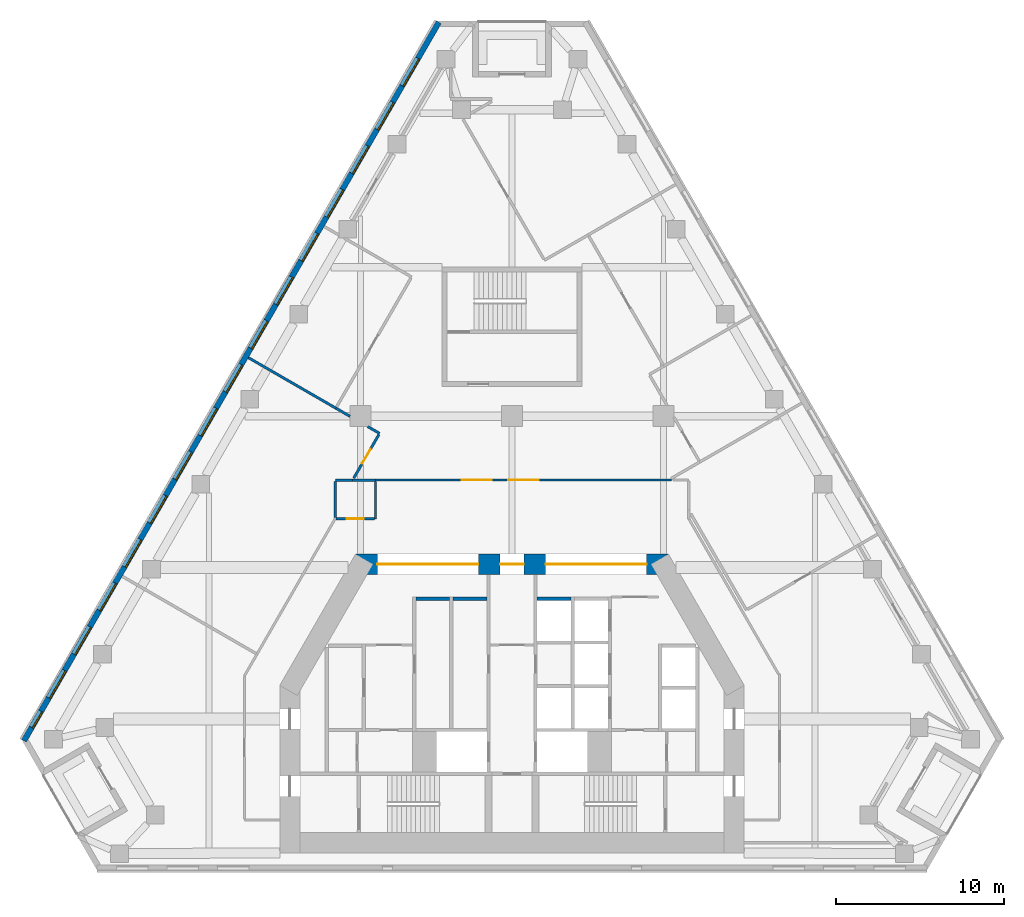
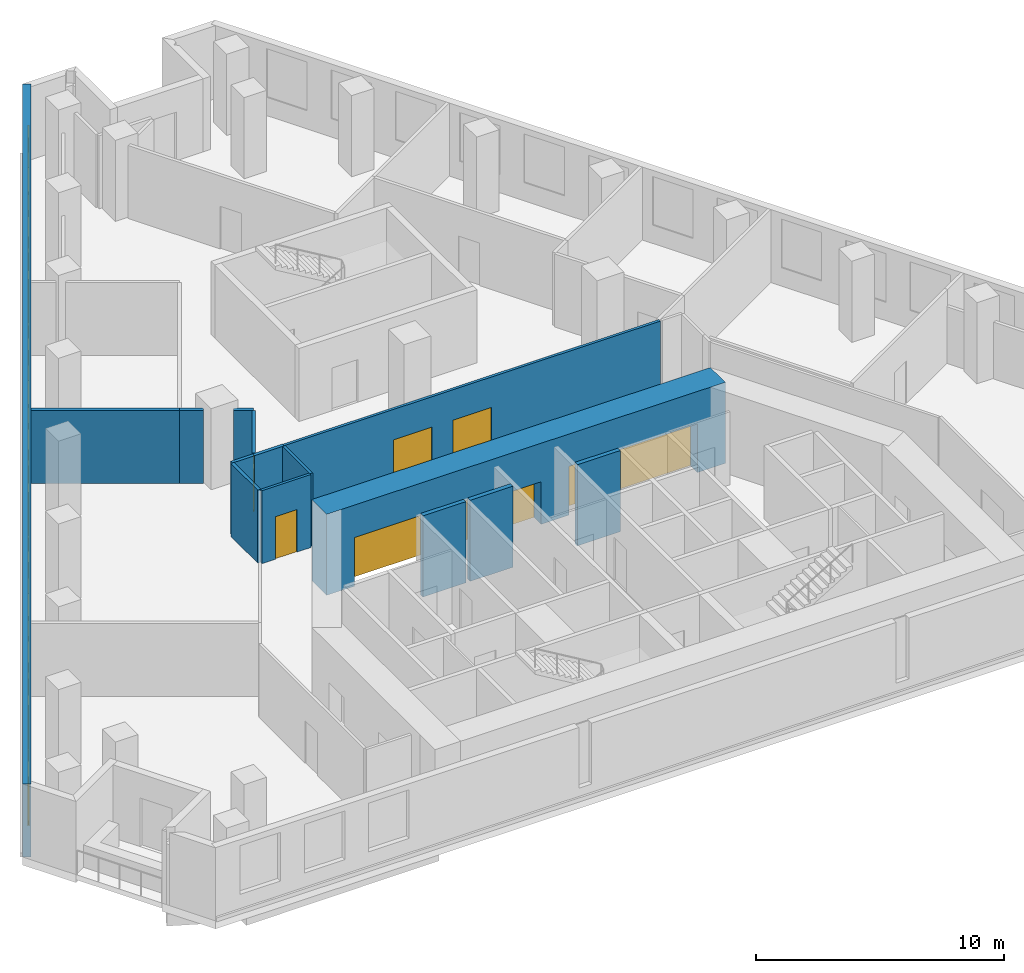
# One storey, part 5 of 9: 16 windows, 15 walls, 7 doors, 23 openings.
"""IFC4 building model written with IfcOpenShell, lengths in metres."""

import ifcopenshell
import ifcopenshell.guid

model = None  # the IFC model being written
_history = None  # IfcOwnerHistory: only IFC2X3 demands one
_inside = {}  # id of a spatial element -> (the spatial element, [elements in it])
_under = {}  # id of a project, library or spatial element -> (it, [spatial elements below it])
_declared = {}  # id of a project -> (the project, [libraries it declares])
_typed = {}  # id of a type object -> (the type object, [elements of that type])
_made_of = {}  # id of a material, layer set ... -> (it, [elements and type objects made of it])


def new_model(schema):
    """Start an empty IFC model of exactly this schema.

    Asked for "IFC4X3", IfcOpenShell would pick the latest addendum, in which some entities
    have other attributes; the version numbers below select the first issue.
    IFC2X3 requires an IfcOwnerHistory on every rooted entity: one is made here for all.
    """
    global model, _history
    if schema == "IFC4X3":
        model = ifcopenshell.file(schema_version=(4, 3, 0, 0))
    else:
        model = ifcopenshell.file(schema=schema)
    _inside.clear()
    _under.clear()
    _declared.clear()
    _typed.clear()
    _made_of.clear()
    _history = None
    if model.schema == "IFC2X3":
        org = make("IfcOrganization", Name="unknown")
        user = make(
            "IfcPersonAndOrganization",
            ThePerson=make("IfcPerson", FamilyName="unknown"),
            TheOrganization=org,
        )
        app = make(
            "IfcApplication",
            ApplicationDeveloper=org,
            Version="unknown",
            ApplicationFullName="unknown",
            ApplicationIdentifier="unknown",
        )
        _history = make(
            "IfcOwnerHistory",
            OwningUser=user,
            OwningApplication=app,
            ChangeAction="ADDED",
            CreationDate=0,
        )
    return model


def make(cls, **values):
    """One entity of the class cls with the attributes given. An attribute that is None is left unset."""
    return model.create_entity(
        cls, **{name: value for name, value in values.items() if value is not None}
    )


def rooted(cls, **values):
    """An entity with a GlobalId (a new one), such as an element, a storey or a relation."""
    return make(cls, GlobalId=ifcopenshell.guid.new(), OwnerHistory=_history, **values)


def si_unit(unit_type, name, prefix=None):
    """IfcSIUnit, for example si_unit("LENGTHUNIT", "METRE", prefix="MILLI")."""
    return make("IfcSIUnit", UnitType=unit_type, Prefix=prefix, Name=name)


def assignment(units):
    """IfcUnitAssignment: the units of a project."""
    return None if units is None else make("IfcUnitAssignment", Units=units)


def point(xyz):
    """IfcCartesianPoint."""
    return None if xyz is None else make("IfcCartesianPoint", Coordinates=xyz)


def direction(xyz):
    """IfcDirection."""
    return None if xyz is None else make("IfcDirection", DirectionRatios=xyz)


def frame(location, z_axis=None, x_axis=None):
    """IfcAxis2Placement3D, a coordinate frame: its origin and axes. An axis left out is left unset."""
    return make(
        "IfcAxis2Placement3D",
        Location=point(location),
        Axis=direction(z_axis),
        RefDirection=direction(x_axis),
    )


def frame_2d(location, x_axis=None):
    """IfcAxis2Placement2D, a coordinate frame in the plane: its origin and x axis."""
    return make(
        "IfcAxis2Placement2D", Location=point(location), RefDirection=direction(x_axis)
    )


def origin():
    """The frame at (0, 0, 0) with its axes left unset."""
    return frame((0.0, 0.0, 0.0))


def place(relative_to, where):
    """IfcLocalPlacement: puts the frame where relative to a parent placement (None: the world)."""
    return make(
        "IfcLocalPlacement", PlacementRelTo=relative_to, RelativePlacement=where
    )


def context(
    kind, dimensions, precision=None, world=None, true_north=None, identifier=None
):
    """IfcGeometricRepresentationContext, for example the 3D "Model" context."""
    return make(
        "IfcGeometricRepresentationContext",
        ContextIdentifier=identifier,
        ContextType=kind,
        CoordinateSpaceDimension=dimensions,
        Precision=precision,
        WorldCoordinateSystem=world,
        TrueNorth=true_north,
    )


def subcontext(parent, identifier, kind, view, scale=None):
    """IfcGeometricRepresentationSubContext, for example "Body" below "Model"."""
    return make(
        "IfcGeometricRepresentationSubContext",
        ContextIdentifier=identifier,
        ContextType=kind,
        ParentContext=parent,
        TargetScale=scale,
        TargetView=view,
    )


def project(units=None, contexts=None):
    """IfcProject with its units and contexts."""
    return rooted(
        "IfcProject",
        Name="project",
        RepresentationContexts=contexts,
        UnitsInContext=assignment(units),
    )


def spatial(cls, under=None, at=None, **own):
    """A site, building, storey or space (cls), placed at a placement, below another one or the project."""
    s = rooted(cls, ObjectPlacement=at, **own)
    if under is not None:
        _under.setdefault(under.id(), (under, []))[1].append(s)
    return s


def profile(cls, at=None, kind="AREA", **sizes):
    """A parametric profile (cls). Its sizes go by their IFC names, for example OverallWidth=200.0."""
    return make(cls, ProfileType=kind, Position=at, **sizes)


def rectangle(**sizes):
    """IfcRectangleProfileDef."""
    return profile("IfcRectangleProfileDef", **sizes)


def extrude(swept, where, along, depth):
    """IfcExtrudedAreaSolid: the profile swept, set in the frame where, extruded along a direction by depth."""
    return make(
        "IfcExtrudedAreaSolid",
        SweptArea=swept,
        Position=where,
        ExtrudedDirection=direction(along),
        Depth=depth,
    )


def shape(context_of_items, identifier, shape_type, items):
    """IfcShapeRepresentation: the items that make up one representation, for example the "Body"."""
    return make(
        "IfcShapeRepresentation",
        ContextOfItems=context_of_items,
        RepresentationIdentifier=identifier,
        RepresentationType=shape_type,
        Items=items,
    )


def material(Name=None, Category=None):
    """IfcMaterial."""
    return make("IfcMaterial", Name=Name, Category=Category)


def layer(
    of_material, thickness, ventilated=None, Name=None, Category=None, Priority=None
):
    """IfcMaterialLayer: one layer of a wall or slab, of a material (None: an air gap)."""
    return make(
        "IfcMaterialLayer",
        Material=of_material,
        LayerThickness=thickness,
        IsVentilated=ventilated,
        Name=Name,
        Category=Category,
        Priority=Priority,
    )


def layer_set(layers, Name=None):
    """IfcMaterialLayerSet."""
    return make("IfcMaterialLayerSet", MaterialLayers=layers, LayerSetName=Name)


def made_of(thing, what):
    """Note that an element or type object is made of a material, layer set ...; save() writes the relation."""
    if what is not None:
        _made_of.setdefault(what.id(), (what, []))[1].append(thing)
    return thing


def type_object(cls, material=None, **own):
    """A type object (cls), such as IfcWallType, which elements share."""
    return made_of(rooted(cls, **own), material)


def element(
    cls,
    number,
    at=None,
    inside=None,
    cuts=None,
    type_object=None,
    material=None,
    context=None,
    identifier="Body",
    shape_type=None,
    held_by="IfcProductDefinitionShape",
    body=None,
    shapes=None,
    **own,
):
    """One element of the class cls, such as IfcWall. Its Tag is "e" and its number.

    at: its placement. inside: the storey or other place that contains it. cuts: it is an
    opening in that element (IfcRelVoidsElement). A single representation is given by context,
    identifier, shape_type and body (its items); several are given by shapes. held_by: the class
    of the entity that holds the representations. save() writes the other relations.
    """
    e = rooted(cls, Tag="e%d" % number, ObjectPlacement=at, **own)
    if body is not None:
        shapes = [shape(context, identifier, shape_type, body)]
    if shapes is not None:
        e.Representation = make(held_by, Representations=shapes)
    if inside is not None:
        _inside.setdefault(inside.id(), (inside, []))[1].append(e)
    if cuts is not None:
        rooted(
            "IfcRelVoidsElement", RelatingBuildingElement=cuts, RelatedOpeningElement=e
        )
    if type_object is not None:
        _typed.setdefault(type_object.id(), (type_object, []))[1].append(e)
    return made_of(e, material)


def fill(opening, filler):
    """IfcRelFillsElement: the door or window that sits in an opening."""
    return rooted(
        "IfcRelFillsElement",
        RelatingOpeningElement=opening,
        RelatedBuildingElement=filler,
    )


def aggregate(whole, parts):
    """IfcRelAggregates: a whole, such as a stair, and the parts it consists of."""
    return rooted("IfcRelAggregates", RelatingObject=whole, RelatedObjects=parts)


def save(model, path):
    """Write the relations noted so far, then the file.

    IfcRelAggregates (storeys below a building ...), IfcRelContainedInSpatialStructure (elements
    in a storey), IfcRelDefinesByType, IfcRelAssociatesMaterial and IfcRelDeclares: one each for
    every whole, place, type object, material and project.
    """
    for whole, parts in _under.values():
        aggregate(whole, parts)
    for where, things in _inside.values():
        rooted(
            "IfcRelContainedInSpatialStructure",
            RelatedElements=things,
            RelatingStructure=where,
        )
    for kind, things in _typed.values():
        rooted("IfcRelDefinesByType", RelatedObjects=things, RelatingType=kind)
    for what, things in _made_of.values():
        rooted("IfcRelAssociatesMaterial", RelatedObjects=things, RelatingMaterial=what)
    for by, libraries in _declared.values():
        rooted("IfcRelDeclares", RelatingContext=by, RelatedDefinitions=libraries)
    model.write(path)


model = new_model("IFC4")

# Units and contexts
model_context = context("Model", 3, precision=1e-05, world=origin(), true_north=direction((0.0, 1.0)))
body_context = subcontext(model_context, "Body", "Model", "MODEL_VIEW")
ifc_project = project(units=[si_unit("LENGTHUNIT", "METRE"), si_unit("AREAUNIT", "SQUARE_METRE"), si_unit("VOLUMEUNIT", "CUBIC_METRE"), si_unit("PLANEANGLEUNIT", "RADIAN"), si_unit("MASSUNIT", "GRAM", prefix="KILO")], contexts=[model_context])

# Site, building, storey
site_placement = place(None, origin())
site = spatial("IfcSite", under=ifc_project, at=site_placement, CompositionType="ELEMENT")
building_placement = place(site_placement, origin())
building = spatial("IfcBuilding", under=site, at=building_placement, Name="Fogline Exchange Tower", CompositionType="ELEMENT")
storey_placement = place(building_placement, frame((0.0, 0.0, 146.89990234375)))
storey = spatial("IfcBuildingStorey", under=building, at=storey_placement, Name="L32", CompositionType="ELEMENT", Elevation=146.89990234375)

# Walls
ifc_material_1 = material(Name="Concrete C40", Category="concrete")
ifc_layer_1 = layer(ifc_material_1, 0.199951171875)
ifc_layer_set_1 = layer_set([ifc_layer_1], Name="CW20S")
wall_type_1 = type_object("IfcWallType", Name="CW20S", PredefinedType="SOLIDWALL", material=ifc_layer_set_1)
for number, where, z_axis, x_axis, name in (
    (1, (-5.699951171875, 16.14990234375, -0.39990234375), (0.0, 0.0, 1.0), (1.0, 0.0, 0.0), "Lift shaft wall"),
    (2, (-3.5, 16.14990234375, -0.39990234375), (0.0, 0.0, 1.0), (1.0, 0.0, 0.0), "Lift shaft wall"),
    (3, (1.5, 16.14990234375, -0.39990234375), (0.0, 0.0, 1.0), (1.0, 0.0, 0.0), "Lift shaft wall"),
):
    element("IfcWall", number, at=place(storey_placement, frame(where, z_axis=z_axis, x_axis=x_axis)), inside=storey, type_object=wall_type_1, Name=name, PredefinedType="SOLIDWALL", context=body_context, shape_type="SweptSolid", body=[
        extrude(rectangle(XDim=2.0, YDim=0.199951171875, at=frame_2d((1.0, 0.0))), origin(), (0.0, 0.0, 1.0), 4.0),
    ])

# Wall, openings, windows
ifc_material_2 = material(Name="Brick masonry", Category="masonry")
ifc_layer_2 = layer(ifc_material_2, 0.340087890625)
ifc_layer_set_2 = layer_set([ifc_layer_2], Name="FW1")
wall_type_2 = type_object("IfcWallType", Name="FW1", PredefinedType="SOLIDWALL", material=ifc_layer_set_2)
wall_1_placement = place(storey_placement, frame((-4.352783203125, 50.401611328125, 0.0), z_axis=(0.0, 0.0, 1.0), x_axis=(-0.499999677325, -0.866025590081, 0.0)))
wall_1 = element("IfcWall", 4, at=wall_1_placement, inside=storey, type_object=wall_type_2, Name="Brick wall L32 W", PredefinedType="SOLIDWALL", context=body_context, shape_type="SweptSolid", body=[
    extrude(rectangle(XDim=49.296875, YDim=0.340087890625, at=frame_2d((24.6484375, 0.0))), origin(), (0.0, 0.0, 1.0), 3.60009765625),
])
opening_1_placement = place(wall_1_placement, frame((2.47265625, 0.0, 0.89990234375)))
opening_1 = element("IfcOpeningElement", 5, at=opening_1_placement, cuts=wall_1, Name="Opening W1", PredefinedType="OPENING", context=body_context, shape_type="SweptSolid", body=[
    extrude(rectangle(XDim=1.885009765625, YDim=2.39990234375, at=frame_2d((0.9423828125, 1.199951171875))), frame((0.0, 0.18017578125, 0.0), z_axis=(0.0, -1.0, 0.0), x_axis=(1.0, 0.0, 0.0)), (0.0, 0.0, 1.0), 0.360107421875),
])
opening_2_placement = place(wall_1_placement, frame((5.47265625, 0.0, 0.89990234375)))
opening_2 = element("IfcOpeningElement", 6, at=opening_2_placement, cuts=wall_1, Name="Opening W1", PredefinedType="OPENING", context=body_context, shape_type="SweptSolid", body=[
    extrude(rectangle(XDim=1.885009765625, YDim=2.39990234375, at=frame_2d((0.9423828125, 1.199951171875))), frame((0.0, 0.18017578125, 0.0), z_axis=(0.0, -1.0, 0.0), x_axis=(1.0, 0.0, 0.0)), (0.0, 0.0, 1.0), 0.360107421875),
])
opening_3_placement = place(wall_1_placement, frame((8.47265625, 0.0, 0.89990234375)))
opening_3 = element("IfcOpeningElement", 7, at=opening_3_placement, cuts=wall_1, Name="Opening W1", PredefinedType="OPENING", context=body_context, shape_type="SweptSolid", body=[
    extrude(rectangle(XDim=1.885009765625, YDim=2.39990234375, at=frame_2d((0.9423828125, 1.199951171875))), frame((0.0, 0.18017578125, 0.0), z_axis=(0.0, -1.0, 0.0), x_axis=(1.0, 0.0, 0.0)), (0.0, 0.0, 1.0), 0.360107421875),
])
opening_4_placement = place(wall_1_placement, frame((11.47265625, 0.0, 0.89990234375)))
opening_4 = element("IfcOpeningElement", 8, at=opening_4_placement, cuts=wall_1, Name="Opening W1", PredefinedType="OPENING", context=body_context, shape_type="SweptSolid", body=[
    extrude(rectangle(XDim=1.885009765625, YDim=2.39990234375, at=frame_2d((0.9423828125, 1.199951171875))), frame((0.0, 0.18017578125, 0.0), z_axis=(0.0, -1.0, 0.0), x_axis=(1.0, 0.0, 0.0)), (0.0, 0.0, 1.0), 0.360107421875),
])
opening_5_placement = place(wall_1_placement, frame((14.47265625, 0.0, 0.89990234375)))
opening_5 = element("IfcOpeningElement", 9, at=opening_5_placement, cuts=wall_1, Name="Opening W1", PredefinedType="OPENING", context=body_context, shape_type="SweptSolid", body=[
    extrude(rectangle(XDim=1.885009765625, YDim=2.39990234375, at=frame_2d((0.9423828125, 1.199951171875))), frame((0.0, 0.18017578125, 0.0), z_axis=(0.0, -1.0, 0.0), x_axis=(1.0, 0.0, 0.0)), (0.0, 0.0, 1.0), 0.360107421875),
])
opening_6_placement = place(wall_1_placement, frame((17.47265625, 0.0, 0.89990234375)))
opening_6 = element("IfcOpeningElement", 10, at=opening_6_placement, cuts=wall_1, Name="Opening W1", PredefinedType="OPENING", context=body_context, shape_type="SweptSolid", body=[
    extrude(rectangle(XDim=1.885009765625, YDim=2.39990234375, at=frame_2d((0.9423828125, 1.199951171875))), frame((0.0, 0.18017578125, 0.0), z_axis=(0.0, -1.0, 0.0), x_axis=(1.0, 0.0, 0.0)), (0.0, 0.0, 1.0), 0.360107421875),
])
opening_7_placement = place(wall_1_placement, frame((20.47265625, 0.0, 0.89990234375)))
opening_7 = element("IfcOpeningElement", 11, at=opening_7_placement, cuts=wall_1, Name="Opening W1", PredefinedType="OPENING", context=body_context, shape_type="SweptSolid", body=[
    extrude(rectangle(XDim=1.885009765625, YDim=2.39990234375, at=frame_2d((0.9423828125, 1.199951171875))), frame((0.0, 0.18017578125, 0.0), z_axis=(0.0, -1.0, 0.0), x_axis=(1.0, 0.0, 0.0)), (0.0, 0.0, 1.0), 0.360107421875),
])
opening_8_placement = place(wall_1_placement, frame((23.47265625, 0.0, 0.89990234375)))
opening_8 = element("IfcOpeningElement", 12, at=opening_8_placement, cuts=wall_1, Name="Opening W1", PredefinedType="OPENING", context=body_context, shape_type="SweptSolid", body=[
    extrude(rectangle(XDim=1.885009765625, YDim=2.39990234375, at=frame_2d((0.9423828125, 1.199951171875))), frame((0.0, 0.18017578125, 0.0), z_axis=(0.0, -1.0, 0.0), x_axis=(1.0, 0.0, 0.0)), (0.0, 0.0, 1.0), 0.360107421875),
])
opening_9_placement = place(wall_1_placement, frame((26.47265625, 0.0, 0.89990234375)))
opening_9 = element("IfcOpeningElement", 13, at=opening_9_placement, cuts=wall_1, Name="Opening W1", PredefinedType="OPENING", context=body_context, shape_type="SweptSolid", body=[
    extrude(rectangle(XDim=1.885009765625, YDim=2.39990234375, at=frame_2d((0.9423828125, 1.199951171875))), frame((0.0, 0.18017578125, 0.0), z_axis=(0.0, -1.0, 0.0), x_axis=(1.0, 0.0, 0.0)), (0.0, 0.0, 1.0), 0.360107421875),
])
opening_10_placement = place(wall_1_placement, frame((29.47265625, 0.0, 0.89990234375)))
opening_10 = element("IfcOpeningElement", 14, at=opening_10_placement, cuts=wall_1, Name="Opening W1", PredefinedType="OPENING", context=body_context, shape_type="SweptSolid", body=[
    extrude(rectangle(XDim=1.885009765625, YDim=2.39990234375, at=frame_2d((0.9423828125, 1.199951171875))), frame((0.0, 0.18017578125, 0.0), z_axis=(0.0, -1.0, 0.0), x_axis=(1.0, 0.0, 0.0)), (0.0, 0.0, 1.0), 0.360107421875),
])
opening_11_placement = place(wall_1_placement, frame((32.47265625, 0.0, 0.89990234375)))
opening_11 = element("IfcOpeningElement", 15, at=opening_11_placement, cuts=wall_1, Name="Opening W1", PredefinedType="OPENING", context=body_context, shape_type="SweptSolid", body=[
    extrude(rectangle(XDim=1.885009765625, YDim=2.39990234375, at=frame_2d((0.9423828125, 1.199951171875))), frame((0.0, 0.18017578125, 0.0), z_axis=(0.0, -1.0, 0.0), x_axis=(1.0, 0.0, 0.0)), (0.0, 0.0, 1.0), 0.360107421875),
])
opening_12_placement = place(wall_1_placement, frame((35.47265625, 0.0, 0.89990234375)))
opening_12 = element("IfcOpeningElement", 16, at=opening_12_placement, cuts=wall_1, Name="Opening W1", PredefinedType="OPENING", context=body_context, shape_type="SweptSolid", body=[
    extrude(rectangle(XDim=1.885009765625, YDim=2.39990234375, at=frame_2d((0.9423828125, 1.199951171875))), frame((0.0, 0.18017578125, 0.0), z_axis=(0.0, -1.0, 0.0), x_axis=(1.0, 0.0, 0.0)), (0.0, 0.0, 1.0), 0.360107421875),
])
opening_13_placement = place(wall_1_placement, frame((38.47265625, 0.0, 0.89990234375)))
opening_13 = element("IfcOpeningElement", 17, at=opening_13_placement, cuts=wall_1, Name="Opening W1", PredefinedType="OPENING", context=body_context, shape_type="SweptSolid", body=[
    extrude(rectangle(XDim=1.885009765625, YDim=2.39990234375, at=frame_2d((0.9423828125, 1.199951171875))), frame((0.0, 0.18017578125, 0.0), z_axis=(0.0, -1.0, 0.0), x_axis=(1.0, 0.0, 0.0)), (0.0, 0.0, 1.0), 0.360107421875),
])
opening_14_placement = place(wall_1_placement, frame((41.47265625, 0.0, 0.89990234375)))
opening_14 = element("IfcOpeningElement", 18, at=opening_14_placement, cuts=wall_1, Name="Opening W1", PredefinedType="OPENING", context=body_context, shape_type="SweptSolid", body=[
    extrude(rectangle(XDim=1.885009765625, YDim=2.39990234375, at=frame_2d((0.9423828125, 1.199951171875))), frame((0.0, 0.18017578125, 0.0), z_axis=(0.0, -1.0, 0.0), x_axis=(1.0, 0.0, 0.0)), (0.0, 0.0, 1.0), 0.360107421875),
])
opening_15_placement = place(wall_1_placement, frame((44.47265625, 0.0, 0.89990234375)))
opening_15 = element("IfcOpeningElement", 19, at=opening_15_placement, cuts=wall_1, Name="Opening W1", PredefinedType="OPENING", context=body_context, shape_type="SweptSolid", body=[
    extrude(rectangle(XDim=1.885009765625, YDim=2.39990234375, at=frame_2d((0.9423828125, 1.199951171875))), frame((0.0, 0.18017578125, 0.0), z_axis=(0.0, -1.0, 0.0), x_axis=(1.0, 0.0, 0.0)), (0.0, 0.0, 1.0), 0.360107421875),
])
opening_16_placement = place(wall_1_placement, frame((47.269775390625, 0.0, 0.89990234375)))
opening_16 = element("IfcOpeningElement", 20, at=opening_16_placement, cuts=wall_1, Name="Opening W4", PredefinedType="OPENING", context=body_context, shape_type="SweptSolid", body=[
    extrude(rectangle(XDim=1.114990234375, YDim=2.39990234375, at=frame_2d((0.5576171875, 1.199951171875))), frame((0.0, 0.18017578125, 0.0), z_axis=(0.0, -1.0, 0.0), x_axis=(1.0, 0.0, 0.0)), (0.0, 0.0, 1.0), 0.360107421875),
])
ifc_material_3 = material(Name="Aluminium and glass", Category="aluminium")
window_type_1 = type_object("IfcWindowType", Name="W1", PartitioningType="SINGLE_PANEL", PredefinedType="WINDOW", material=ifc_material_3)
window_1_placement = place(opening_1_placement, origin())
window_1 = element("IfcWindow", 21, at=window_1_placement, inside=storey, type_object=window_type_1, Name="W1 W1", OverallHeight=2.39990234375, OverallWidth=1.885009765625, PartitioningType="SINGLE_PANEL", PredefinedType="WINDOW", context=body_context, shape_type="SweptSolid", body=[
    extrude(rectangle(XDim=1.885009765625, YDim=2.39990234375, at=frame_2d((0.9423828125, 1.199951171875))), frame((0.0, 0.110107421875, 0.0), z_axis=(0.0, -1.0, 0.0), x_axis=(1.0, 0.0, 0.0)), (0.0, 0.0, 1.0), 0.06005859375),
])
fill(opening_1, window_1)
window_2_placement = place(opening_2_placement, origin())
window_2 = element("IfcWindow", 22, at=window_2_placement, inside=storey, type_object=window_type_1, Name="W1 W1", OverallHeight=2.39990234375, OverallWidth=1.885009765625, PartitioningType="SINGLE_PANEL", PredefinedType="WINDOW", context=body_context, shape_type="SweptSolid", body=[
    extrude(rectangle(XDim=1.885009765625, YDim=2.39990234375, at=frame_2d((0.9423828125, 1.199951171875))), frame((0.0, 0.110107421875, 0.0), z_axis=(0.0, -1.0, 0.0), x_axis=(1.0, 0.0, 0.0)), (0.0, 0.0, 1.0), 0.06005859375),
])
fill(opening_2, window_2)
window_3_placement = place(opening_3_placement, origin())
window_3 = element("IfcWindow", 23, at=window_3_placement, inside=storey, type_object=window_type_1, Name="W1 W1", OverallHeight=2.39990234375, OverallWidth=1.885009765625, PartitioningType="SINGLE_PANEL", PredefinedType="WINDOW", context=body_context, shape_type="SweptSolid", body=[
    extrude(rectangle(XDim=1.885009765625, YDim=2.39990234375, at=frame_2d((0.9423828125, 1.199951171875))), frame((0.0, 0.110107421875, 0.0), z_axis=(0.0, -1.0, 0.0), x_axis=(1.0, 0.0, 0.0)), (0.0, 0.0, 1.0), 0.06005859375),
])
fill(opening_3, window_3)
window_4_placement = place(opening_4_placement, origin())
window_4 = element("IfcWindow", 24, at=window_4_placement, inside=storey, type_object=window_type_1, Name="W1 W1", OverallHeight=2.39990234375, OverallWidth=1.885009765625, PartitioningType="SINGLE_PANEL", PredefinedType="WINDOW", context=body_context, shape_type="SweptSolid", body=[
    extrude(rectangle(XDim=1.885009765625, YDim=2.39990234375, at=frame_2d((0.9423828125, 1.199951171875))), frame((0.0, 0.110107421875, 0.0), z_axis=(0.0, -1.0, 0.0), x_axis=(1.0, 0.0, 0.0)), (0.0, 0.0, 1.0), 0.06005859375),
])
fill(opening_4, window_4)
window_5_placement = place(opening_5_placement, origin())
window_5 = element("IfcWindow", 25, at=window_5_placement, inside=storey, type_object=window_type_1, Name="W1 W1", OverallHeight=2.39990234375, OverallWidth=1.885009765625, PartitioningType="SINGLE_PANEL", PredefinedType="WINDOW", context=body_context, shape_type="SweptSolid", body=[
    extrude(rectangle(XDim=1.885009765625, YDim=2.39990234375, at=frame_2d((0.9423828125, 1.199951171875))), frame((0.0, 0.110107421875, 0.0), z_axis=(0.0, -1.0, 0.0), x_axis=(1.0, 0.0, 0.0)), (0.0, 0.0, 1.0), 0.06005859375),
])
fill(opening_5, window_5)
window_6_placement = place(opening_6_placement, origin())
window_6 = element("IfcWindow", 26, at=window_6_placement, inside=storey, type_object=window_type_1, Name="W1 W1", OverallHeight=2.39990234375, OverallWidth=1.885009765625, PartitioningType="SINGLE_PANEL", PredefinedType="WINDOW", context=body_context, shape_type="SweptSolid", body=[
    extrude(rectangle(XDim=1.885009765625, YDim=2.39990234375, at=frame_2d((0.9423828125, 1.199951171875))), frame((0.0, 0.110107421875, 0.0), z_axis=(0.0, -1.0, 0.0), x_axis=(1.0, 0.0, 0.0)), (0.0, 0.0, 1.0), 0.06005859375),
])
fill(opening_6, window_6)
window_7_placement = place(opening_7_placement, origin())
window_7 = element("IfcWindow", 27, at=window_7_placement, inside=storey, type_object=window_type_1, Name="W1 W1", OverallHeight=2.39990234375, OverallWidth=1.885009765625, PartitioningType="SINGLE_PANEL", PredefinedType="WINDOW", context=body_context, shape_type="SweptSolid", body=[
    extrude(rectangle(XDim=1.885009765625, YDim=2.39990234375, at=frame_2d((0.9423828125, 1.199951171875))), frame((0.0, 0.110107421875, 0.0), z_axis=(0.0, -1.0, 0.0), x_axis=(1.0, 0.0, 0.0)), (0.0, 0.0, 1.0), 0.06005859375),
])
fill(opening_7, window_7)
window_8_placement = place(opening_8_placement, origin())
window_8 = element("IfcWindow", 28, at=window_8_placement, inside=storey, type_object=window_type_1, Name="W1 W1", OverallHeight=2.39990234375, OverallWidth=1.885009765625, PartitioningType="SINGLE_PANEL", PredefinedType="WINDOW", context=body_context, shape_type="SweptSolid", body=[
    extrude(rectangle(XDim=1.885009765625, YDim=2.39990234375, at=frame_2d((0.9423828125, 1.199951171875))), frame((0.0, 0.110107421875, 0.0), z_axis=(0.0, -1.0, 0.0), x_axis=(1.0, 0.0, 0.0)), (0.0, 0.0, 1.0), 0.06005859375),
])
fill(opening_8, window_8)
window_9_placement = place(opening_9_placement, origin())
window_9 = element("IfcWindow", 29, at=window_9_placement, inside=storey, type_object=window_type_1, Name="W1 W1", OverallHeight=2.39990234375, OverallWidth=1.885009765625, PartitioningType="SINGLE_PANEL", PredefinedType="WINDOW", context=body_context, shape_type="SweptSolid", body=[
    extrude(rectangle(XDim=1.885009765625, YDim=2.39990234375, at=frame_2d((0.9423828125, 1.199951171875))), frame((0.0, 0.110107421875, 0.0), z_axis=(0.0, -1.0, 0.0), x_axis=(1.0, 0.0, 0.0)), (0.0, 0.0, 1.0), 0.06005859375),
])
fill(opening_9, window_9)
window_10_placement = place(opening_10_placement, origin())
window_10 = element("IfcWindow", 30, at=window_10_placement, inside=storey, type_object=window_type_1, Name="W1 W1", OverallHeight=2.39990234375, OverallWidth=1.885009765625, PartitioningType="SINGLE_PANEL", PredefinedType="WINDOW", context=body_context, shape_type="SweptSolid", body=[
    extrude(rectangle(XDim=1.885009765625, YDim=2.39990234375, at=frame_2d((0.9423828125, 1.199951171875))), frame((0.0, 0.110107421875, 0.0), z_axis=(0.0, -1.0, 0.0), x_axis=(1.0, 0.0, 0.0)), (0.0, 0.0, 1.0), 0.06005859375),
])
fill(opening_10, window_10)
window_11_placement = place(opening_11_placement, origin())
window_11 = element("IfcWindow", 31, at=window_11_placement, inside=storey, type_object=window_type_1, Name="W1 W1", OverallHeight=2.39990234375, OverallWidth=1.885009765625, PartitioningType="SINGLE_PANEL", PredefinedType="WINDOW", context=body_context, shape_type="SweptSolid", body=[
    extrude(rectangle(XDim=1.885009765625, YDim=2.39990234375, at=frame_2d((0.9423828125, 1.199951171875))), frame((0.0, 0.110107421875, 0.0), z_axis=(0.0, -1.0, 0.0), x_axis=(1.0, 0.0, 0.0)), (0.0, 0.0, 1.0), 0.06005859375),
])
fill(opening_11, window_11)
window_12_placement = place(opening_12_placement, origin())
window_12 = element("IfcWindow", 32, at=window_12_placement, inside=storey, type_object=window_type_1, Name="W1 W1", OverallHeight=2.39990234375, OverallWidth=1.885009765625, PartitioningType="SINGLE_PANEL", PredefinedType="WINDOW", context=body_context, shape_type="SweptSolid", body=[
    extrude(rectangle(XDim=1.885009765625, YDim=2.39990234375, at=frame_2d((0.9423828125, 1.199951171875))), frame((0.0, 0.110107421875, 0.0), z_axis=(0.0, -1.0, 0.0), x_axis=(1.0, 0.0, 0.0)), (0.0, 0.0, 1.0), 0.06005859375),
])
fill(opening_12, window_12)
window_13_placement = place(opening_13_placement, origin())
window_13 = element("IfcWindow", 33, at=window_13_placement, inside=storey, type_object=window_type_1, Name="W1 W1", OverallHeight=2.39990234375, OverallWidth=1.885009765625, PartitioningType="SINGLE_PANEL", PredefinedType="WINDOW", context=body_context, shape_type="SweptSolid", body=[
    extrude(rectangle(XDim=1.885009765625, YDim=2.39990234375, at=frame_2d((0.9423828125, 1.199951171875))), frame((0.0, 0.110107421875, 0.0), z_axis=(0.0, -1.0, 0.0), x_axis=(1.0, 0.0, 0.0)), (0.0, 0.0, 1.0), 0.06005859375),
])
fill(opening_13, window_13)
window_14_placement = place(opening_14_placement, origin())
window_14 = element("IfcWindow", 34, at=window_14_placement, inside=storey, type_object=window_type_1, Name="W1 W1", OverallHeight=2.39990234375, OverallWidth=1.885009765625, PartitioningType="SINGLE_PANEL", PredefinedType="WINDOW", context=body_context, shape_type="SweptSolid", body=[
    extrude(rectangle(XDim=1.885009765625, YDim=2.39990234375, at=frame_2d((0.9423828125, 1.199951171875))), frame((0.0, 0.110107421875, 0.0), z_axis=(0.0, -1.0, 0.0), x_axis=(1.0, 0.0, 0.0)), (0.0, 0.0, 1.0), 0.06005859375),
])
fill(opening_14, window_14)
window_15_placement = place(opening_15_placement, origin())
window_15 = element("IfcWindow", 35, at=window_15_placement, inside=storey, type_object=window_type_1, Name="W1 W1", OverallHeight=2.39990234375, OverallWidth=1.885009765625, PartitioningType="SINGLE_PANEL", PredefinedType="WINDOW", context=body_context, shape_type="SweptSolid", body=[
    extrude(rectangle(XDim=1.885009765625, YDim=2.39990234375, at=frame_2d((0.9423828125, 1.199951171875))), frame((0.0, 0.110107421875, 0.0), z_axis=(0.0, -1.0, 0.0), x_axis=(1.0, 0.0, 0.0)), (0.0, 0.0, 1.0), 0.06005859375),
])
fill(opening_15, window_15)
window_type_2 = type_object("IfcWindowType", Name="W4", PartitioningType="SINGLE_PANEL", PredefinedType="WINDOW", material=ifc_material_3)
window_16_placement = place(opening_16_placement, origin())
window_16 = element("IfcWindow", 36, at=window_16_placement, inside=storey, type_object=window_type_2, Name="W4 W4", OverallHeight=2.39990234375, OverallWidth=1.114990234375, PartitioningType="SINGLE_PANEL", PredefinedType="WINDOW", context=body_context, shape_type="SweptSolid", body=[
    extrude(rectangle(XDim=1.114990234375, YDim=2.39990234375, at=frame_2d((0.5576171875, 1.199951171875))), frame((0.0, 0.110107421875, 0.0), z_axis=(0.0, -1.0, 0.0), x_axis=(1.0, 0.0, 0.0)), (0.0, 0.0, 1.0), 0.06005859375),
])
fill(opening_16, window_16)

# Wall, openings, doors
ifc_material_4 = material(Name="Plasterboard corridor partition with mineral wool, 2 layers each side")
ifc_layer_3 = layer(ifc_material_4, 0.125)
ifc_layer_set_3 = layer_set([ifc_layer_3], Name="PW2")
wall_type_3 = type_object("IfcWallType", Name="PW2", PredefinedType="PARTITIONING", material=ifc_layer_set_3)
wall_2_placement = place(storey_placement, frame((-8.10009765625, 23.199951171875, 0.0), z_axis=(0.0, 0.0, 1.0), x_axis=(1.0, 0.0, 0.0)))
wall_2 = element("IfcWall", 37, at=wall_2_placement, inside=storey, type_object=wall_type_3, Name="wall-L32-W006", PredefinedType="PARTITIONING", context=body_context, shape_type="SweptSolid", body=[
    extrude(rectangle(XDim=17.569091796875, YDim=0.125, at=frame_2d((8.78466796875, 0.0))), origin(), (0.0, 0.0, 1.0), 3.60009765625),
])
opening_17_placement = place(wall_2_placement, frame((5.1083984375, 0.0, 0.0)))
opening_17 = element("IfcOpeningElement", 38, at=opening_17_placement, cuts=wall_2, Name="Opening T10-D002", PredefinedType="OPENING", context=body_context, shape_type="SweptSolid", body=[
    extrude(rectangle(XDim=1.800048828125, YDim=2.10009765625, at=frame_2d((0.89990234375, 1.050048828125))), frame((0.0, 0.072509765625, 0.0), z_axis=(0.0, -1.0, 0.0), x_axis=(1.0, 0.0, 0.0)), (0.0, 0.0, 1.0), 0.14501953125),
])
opening_18_placement = place(wall_2_placement, frame((7.884521484375, 0.0, 0.0)))
opening_18 = element("IfcOpeningElement", 39, at=opening_18_placement, cuts=wall_2, Name="Opening T10-D003", PredefinedType="OPENING", context=body_context, shape_type="SweptSolid", body=[
    extrude(rectangle(XDim=1.800048828125, YDim=2.10009765625, at=frame_2d((0.89990234375, 1.050048828125))), frame((0.0, 0.072509765625, 0.0), z_axis=(0.0, -1.0, 0.0), x_axis=(1.0, 0.0, 0.0)), (0.0, 0.0, 1.0), 0.14501953125),
])
ifc_material_5 = material(Name="Fire-rated timber door leaves with steel frame", Category="steel")
door_type_1 = type_object("IfcDoorType", Name="D4", OperationType="DOUBLE_DOOR_SINGLE_SWING", PredefinedType="DOOR", material=ifc_material_5)
door_1_placement = place(opening_17_placement, frame((1.800048828125, 0.0, 0.0), z_axis=(0.0, 0.0, 1.0), x_axis=(-1.0, 0.0, 0.0)))
door_1 = element("IfcDoor", 40, at=door_1_placement, inside=storey, type_object=door_type_1, Name="door-L32-D002", OperationType="DOUBLE_DOOR_SINGLE_SWING", OverallHeight=2.10009765625, OverallWidth=1.800048828125, PredefinedType="DOOR", context=body_context, shape_type="SweptSolid", body=[
    extrude(rectangle(XDim=1.800048828125, YDim=2.10009765625, at=frame_2d((0.89990234375, 1.050048828125))), frame((0.0, 0.02490234375, 0.0), z_axis=(0.0, -1.0, 0.0), x_axis=(1.0, 0.0, 0.0)), (0.0, 0.0, 1.0), 0.050048828125),
])
fill(opening_17, door_1)
door_2_placement = place(opening_18_placement, frame((1.800048828125, 0.0, 0.0), z_axis=(0.0, 0.0, 1.0), x_axis=(-1.0, 0.0, 0.0)))
door_2 = element("IfcDoor", 41, at=door_2_placement, inside=storey, type_object=door_type_1, Name="door-L32-D003", OperationType="DOUBLE_DOOR_SINGLE_SWING", OverallHeight=2.10009765625, OverallWidth=1.800048828125, PredefinedType="DOOR", context=body_context, shape_type="SweptSolid", body=[
    extrude(rectangle(XDim=1.800048828125, YDim=2.10009765625, at=frame_2d((0.89990234375, 1.050048828125))), frame((0.0, 0.02490234375, 0.0), z_axis=(0.0, -1.0, 0.0), x_axis=(1.0, 0.0, 0.0)), (0.0, 0.0, 1.0), 0.050048828125),
])
fill(opening_18, door_2)

# Wall, opening, door
wall_3_placement = place(storey_placement, frame((-10.453857421875, 20.89990234375, 0.0), z_axis=(0.0, 0.0, 1.0), x_axis=(1.0, 0.0, 0.0)))
wall_3 = element("IfcWall", 42, at=wall_3_placement, inside=storey, type_object=wall_type_3, Name="wall-L32-W007", PredefinedType="PARTITIONING", context=body_context, shape_type="SweptSolid", body=[
    extrude(rectangle(XDim=2.291259765625, YDim=0.125, at=frame_2d((1.1455078125, 0.0))), origin(), (0.0, 0.0, 1.0), 3.60009765625),
])
opening_19_placement = place(wall_3_placement, frame((0.645751953125, 0.0, 0.0)))
opening_19 = element("IfcOpeningElement", 43, at=opening_19_placement, cuts=wall_3, Name="Opening T10-D004", PredefinedType="OPENING", context=body_context, shape_type="SweptSolid", body=[
    extrude(rectangle(XDim=1.0, YDim=2.10009765625, at=frame_2d((0.5, 1.050048828125))), frame((0.0, 0.072509765625, 0.0), z_axis=(0.0, -1.0, 0.0), x_axis=(1.0, 0.0, 0.0)), (0.0, 0.0, 1.0), 0.14501953125),
])
ifc_material_6 = material(Name="Fire-rated timber door leaf with steel frame", Category="steel")
door_type_2 = type_object("IfcDoorType", Name="D3", OperationType="SINGLE_SWING_LEFT", PredefinedType="DOOR", material=ifc_material_6)
door_3_placement = place(opening_19_placement, origin())
door_3 = element("IfcDoor", 44, at=door_3_placement, inside=storey, type_object=door_type_2, Name="door-L32-D004", OperationType="SINGLE_SWING_LEFT", OverallHeight=2.10009765625, OverallWidth=1.0, PredefinedType="DOOR", context=body_context, shape_type="SweptSolid", body=[
    extrude(rectangle(XDim=1.0, YDim=2.10009765625, at=frame_2d((0.5, 1.050048828125))), frame((0.0, 0.02490234375, 0.0), z_axis=(0.0, -1.0, 0.0), x_axis=(1.0, 0.0, 0.0)), (0.0, 0.0, 1.0), 0.050048828125),
])
fill(opening_19, door_3)

# Walls
wall_4_placement = place(storey_placement, frame((-8.10009765625, 20.89990234375, 0.0), z_axis=(0.0, 0.0, 1.0), x_axis=(0.0, 1.0, 0.0)))
element("IfcWall", 45, at=wall_4_placement, inside=storey, type_object=wall_type_3, Name="wall-L32-W008", PredefinedType="PARTITIONING", context=body_context, shape_type="SweptSolid", body=[
    extrude(rectangle(XDim=2.224609375, YDim=0.125, at=frame_2d((1.1123046875, 0.0))), origin(), (0.0, 0.0, 1.0), 3.60009765625),
])
ifc_material_7 = material(Name="Plasterboard demising partition with mineral wool and acoustic board")
ifc_layer_4 = layer(ifc_material_7, 0.14990234375)
ifc_layer_set_4 = layer_set([ifc_layer_4], Name="PW3")
wall_type_4 = type_object("IfcWallType", Name="PW3", PredefinedType="PARTITIONING", material=ifc_layer_set_4)
wall_5_placement = place(storey_placement, frame((-8.10009765625, 23.199951171875, 0.0), z_axis=(0.0, 0.0, 1.0), x_axis=(-1.0, 0.0, 0.0)))
element("IfcWall", 46, at=wall_5_placement, inside=storey, type_object=wall_type_4, Name="wall-L32-W034", PredefinedType="PARTITIONING", context=body_context, shape_type="SweptSolid", body=[
    extrude(rectangle(XDim=1.368896484375, YDim=0.14990234375, at=frame_2d((0.6845703125, 0.0))), origin(), (0.0, 0.0, 1.0), 3.60009765625),
])

# Wall, opening, door
wall_6_placement = place(storey_placement, frame((-9.40380859375, 23.31298828125, 0.0), z_axis=(0.0, 0.0, 1.0), x_axis=(0.499988265988, 0.866032178313, 0.0)))
wall_6 = element("IfcWall", 47, at=wall_6_placement, inside=storey, type_object=wall_type_4, Name="wall-L32-W035", PredefinedType="PARTITIONING", context=body_context, shape_type="SweptSolid", body=[
    extrude(rectangle(XDim=2.99462890625, YDim=0.14990234375, at=frame_2d((1.497314453125, 0.0))), origin(), (0.0, 0.0, 1.0), 3.60009765625),
])
opening_20_placement = place(wall_6_placement, frame((0.99755859375, 0.0, 0.0)))
opening_20 = element("IfcOpeningElement", 48, at=opening_20_placement, cuts=wall_6, Name="Opening T10-D012", PredefinedType="OPENING", context=body_context, shape_type="SweptSolid", body=[
    extrude(rectangle(XDim=1.0, YDim=2.10009765625, at=frame_2d((0.5, 1.050048828125))), frame((0.0, 0.0849609375, 0.0), z_axis=(0.0, -1.0, 0.0), x_axis=(1.0, 0.0, 0.0)), (0.0, 0.0, 1.0), 0.169921875),
])
door_4_placement = place(opening_20_placement, origin())
door_4 = element("IfcDoor", 49, at=door_4_placement, inside=storey, type_object=door_type_2, Name="door-L32-D012", OperationType="SINGLE_SWING_RIGHT", OverallHeight=2.10009765625, OverallWidth=1.0, PredefinedType="DOOR", context=body_context, shape_type="SweptSolid", body=[
    extrude(rectangle(XDim=1.0, YDim=2.10009765625, at=frame_2d((0.5, 1.050048828125))), frame((0.0, 0.02490234375, 0.0), z_axis=(0.0, -1.0, 0.0), x_axis=(1.0, 0.0, 0.0)), (0.0, 0.0, 1.0), 0.050048828125),
])
fill(opening_20, door_4)

# Walls
wall_7_placement = place(storey_placement, frame((-7.868896484375, 25.971435546875, 0.0), z_axis=(0.0, 0.0, 1.0), x_axis=(-0.866019355129, 0.500010476433, 0.0)))
element("IfcWall", 50, at=wall_7_placement, inside=storey, type_object=wall_type_4, Name="wall-L32-W036", PredefinedType="PARTITIONING", context=body_context, shape_type="SweptSolid", body=[
    extrude(rectangle(XDim=0.80712890625, YDim=0.14990234375, at=frame_2d((0.403564453125, 0.0))), origin(), (0.0, 0.0, 1.0), 3.60009765625),
])
wall_8_placement = place(storey_placement, frame((-9.625, 26.9853515625, 0.0), z_axis=(0.0, 0.0, 1.0), x_axis=(-0.866055964107, 0.499947064232, 0.0)))
element("IfcWall", 51, at=wall_8_placement, inside=storey, type_object=wall_type_4, Name="wall-L32-W037", PredefinedType="PARTITIONING", context=body_context, shape_type="SweptSolid", body=[
    extrude(rectangle(XDim=0.97216796875, YDim=0.14990234375, at=frame_2d((0.486083984375, 0.0))), origin(), (0.0, 0.0, 1.0), 3.60009765625),
])
wall_9_placement = place(storey_placement, frame((-10.467041015625, 27.471435546875, 0.0), z_axis=(0.0, 0.0, 1.0), x_axis=(-0.866020924479, 0.500007758305, 0.0)))
element("IfcWall", 52, at=wall_9_placement, inside=storey, type_object=wall_type_4, Name="wall-L32-W039", PredefinedType="PARTITIONING", context=body_context, shape_type="SweptSolid", body=[
    extrude(rectangle(XDim=6.0, YDim=0.14990234375, at=frame_2d((3.0, 0.0))), origin(), (0.0, 0.0, 1.0), 3.60009765625),
])
wall_10_placement = place(storey_placement, frame((-10.5, 20.96240234375, 0.0), z_axis=(0.0, 0.0, 1.0), x_axis=(0.0, 1.0, 0.0)))
element("IfcWall", 53, at=wall_10_placement, inside=storey, type_object=wall_type_4, Name="wall-L32-W040", PredefinedType="PARTITIONING", context=body_context, shape_type="SweptSolid", body=[
    extrude(rectangle(XDim=2.16259765625, YDim=0.14990234375, at=frame_2d((1.081298828125, 0.0))), origin(), (0.0, 0.0, 1.0), 3.60009765625),
])
wall_11_placement = place(storey_placement, frame((-10.5, 23.199951171875, 0.0), z_axis=(0.0, 0.0, 1.0), x_axis=(1.0, 0.0, 0.0)))
element("IfcWall", 54, at=wall_11_placement, inside=storey, type_object=wall_type_4, Name="wall-L32-W041", PredefinedType="PARTITIONING", context=body_context, shape_type="SweptSolid", body=[
    extrude(rectangle(XDim=1.031005859375, YDim=0.14990234375, at=frame_2d((0.515625, 0.0))), origin(), (0.0, 0.0, 1.0), 3.60009765625),
])

# Wall, openings, doors
ifc_material_8 = material(Name="Concrete C60", Category="concrete")
ifc_layer_5 = layer(ifc_material_8, 1.199951171875)
ifc_layer_set_5 = layer_set([ifc_layer_5], Name="SW02")
wall_type_5 = type_object("IfcWallType", Name="SW02", PredefinedType="SHEAR", material=ifc_layer_set_5)
wall_12_placement = place(storey_placement, frame((9.296142578125, 18.199951171875, 0.0), z_axis=(0.0, 0.0, 1.0), x_axis=(-1.0, 0.0, 0.0)))
wall_12 = element("IfcWall", 55, at=wall_12_placement, inside=storey, type_object=wall_type_5, Name="L32-W904", PredefinedType="SHEAR", context=body_context, shape_type="SweptSolid", body=[
    extrude(rectangle(XDim=18.59228515625, YDim=1.199951171875, at=frame_2d((9.296142578125, 0.0))), origin(), (0.0, 0.0, 1.0), 4.0),
])
opening_21_placement = place(wall_12_placement, frame((8.59619140625, 0.0, 0.0)))
opening_21 = element("IfcOpeningElement", 56, at=opening_21_placement, cuts=wall_12, Name="Opening T10-C019", PredefinedType="OPENING", context=body_context, shape_type="SweptSolid", body=[
    extrude(rectangle(XDim=1.39990234375, YDim=2.10009765625, at=frame_2d((0.699951171875, 1.050048828125))), frame((0.0, 0.60986328125, 0.0), z_axis=(0.0, -1.0, 0.0), x_axis=(1.0, 0.0, 0.0)), (0.0, 0.0, 1.0), 1.219970703125),
])
opening_22_placement = place(wall_12_placement, frame((11.296142578125, 0.0, 0.0)))
opening_22 = element("IfcOpeningElement", 57, at=opening_22_placement, cuts=wall_12, Name="Opening T10-C020", PredefinedType="OPENING", context=body_context, shape_type="SweptSolid", body=[
    extrude(rectangle(XDim=6.0, YDim=2.39990234375, at=frame_2d((3.0, 1.199951171875))), frame((0.0, 0.60986328125, 0.0), z_axis=(0.0, -1.0, 0.0), x_axis=(1.0, 0.0, 0.0)), (0.0, 0.0, 1.0), 1.219970703125),
])
opening_23_placement = place(wall_12_placement, frame((1.296142578125, 0.0, 0.0)))
opening_23 = element("IfcOpeningElement", 58, at=opening_23_placement, cuts=wall_12, Name="Opening T10-C021", PredefinedType="OPENING", context=body_context, shape_type="SweptSolid", body=[
    extrude(rectangle(XDim=6.0, YDim=2.39990234375, at=frame_2d((3.0, 1.199951171875))), frame((0.0, 0.60986328125, 0.0), z_axis=(0.0, -1.0, 0.0), x_axis=(1.0, 0.0, 0.0)), (0.0, 0.0, 1.0), 1.219970703125),
])
ifc_material_9 = material(Name="Steel and timber fire door", Category="steel")
door_type_3 = type_object("IfcDoorType", Name="D-LB1", OperationType="DOUBLE_DOOR_SINGLE_SWING", PredefinedType="DOOR", material=ifc_material_9)
door_5_placement = place(opening_21_placement, origin())
door_5 = element("IfcDoor", 59, at=door_5_placement, inside=storey, type_object=door_type_3, Name="Protected lobby door", OperationType="DOUBLE_DOOR_SINGLE_SWING", OverallHeight=2.10009765625, OverallWidth=1.39990234375, PredefinedType="DOOR", context=body_context, shape_type="SweptSolid", body=[
    extrude(rectangle(XDim=1.39990234375, YDim=2.10009765625, at=frame_2d((0.699951171875, 1.050048828125))), frame((0.0, 0.02490234375, 0.0), z_axis=(0.0, -1.0, 0.0), x_axis=(1.0, 0.0, 0.0)), (0.0, 0.0, 1.0), 0.050048828125),
])
fill(opening_21, door_5)
door_type_4 = type_object("IfcDoorType", Name="D-LE1", OperationType="DOUBLE_DOOR_SLIDING", PredefinedType="DOOR", material=ifc_material_9)
door_6_placement = place(opening_22_placement, origin())
door_6 = element("IfcDoor", 60, at=door_6_placement, inside=storey, type_object=door_type_4, Name="Lift lobby entrance west", OperationType="DOUBLE_DOOR_SLIDING", OverallHeight=2.39990234375, OverallWidth=6.0, PredefinedType="DOOR", context=body_context, shape_type="SweptSolid", body=[
    extrude(rectangle(XDim=6.0, YDim=2.39990234375, at=frame_2d((3.0, 1.199951171875))), frame((0.0, 0.02490234375, 0.0), z_axis=(0.0, -1.0, 0.0), x_axis=(1.0, 0.0, 0.0)), (0.0, 0.0, 1.0), 0.050048828125),
])
fill(opening_22, door_6)
door_7_placement = place(opening_23_placement, origin())
door_7 = element("IfcDoor", 61, at=door_7_placement, inside=storey, type_object=door_type_4, Name="Lift lobby entrance east", OperationType="DOUBLE_DOOR_SLIDING", OverallHeight=2.39990234375, OverallWidth=6.0, PredefinedType="DOOR", context=body_context, shape_type="SweptSolid", body=[
    extrude(rectangle(XDim=6.0, YDim=2.39990234375, at=frame_2d((3.0, 1.199951171875))), frame((0.0, 0.02490234375, 0.0), z_axis=(0.0, -1.0, 0.0), x_axis=(1.0, 0.0, 0.0)), (0.0, 0.0, 1.0), 0.050048828125),
])
fill(opening_23, door_7)

save(model, "model.ifc")
